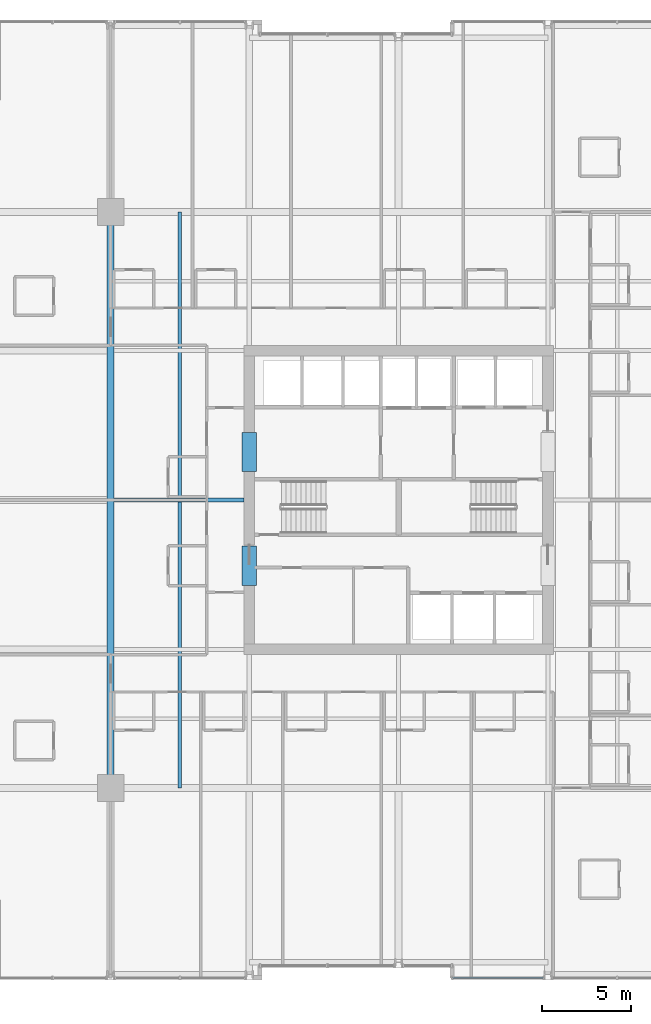
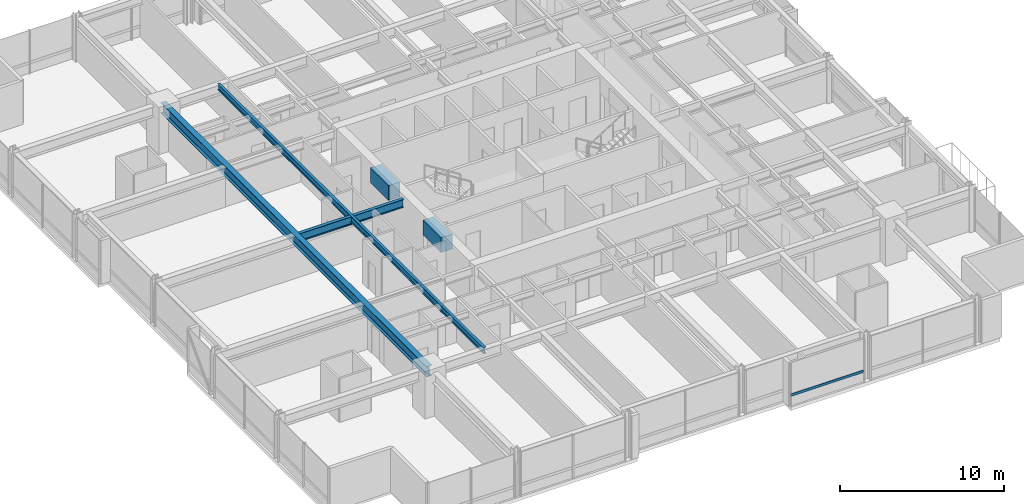
# One storey, part 10 of 35: 5 beams, 1 member, 1 element without a shape of its own.
"""IFC4 building model written with IfcOpenShell, lengths in metres."""

from ifc_helpers import new_model, si_unit, direction, frame, origin, origin_2d, place, context, subcontext, project, spatial, rectangle, hollow_rectangle, i_section, extrude, material, layer, layer_set, material_profile, profile_set, type_object, element, aggregate, save


model = new_model("IFC4")

# Units and contexts
model_context = context("Model", 3, precision=1e-05, world=origin(), true_north=direction((0.0, 1.0)))
body_context = subcontext(model_context, "Body", "Model", "MODEL_VIEW")
ifc_project = project(units=[si_unit("LENGTHUNIT", "METRE"), si_unit("AREAUNIT", "SQUARE_METRE"), si_unit("VOLUMEUNIT", "CUBIC_METRE"), si_unit("PLANEANGLEUNIT", "RADIAN"), si_unit("MASSUNIT", "GRAM", prefix="KILO")], contexts=[model_context])

# Site, building, storey
site_placement = place(None, origin())
site = spatial("IfcSite", under=ifc_project, at=site_placement, CompositionType="ELEMENT")
building_placement = place(site_placement, origin())
building = spatial("IfcBuilding", under=site, at=building_placement, Name="Drelvath Grand Hotel", CompositionType="ELEMENT")
storey_placement = place(building_placement, frame((0.0, 0.0, 98.800048828125)))
storey = spatial("IfcBuildingStorey", under=building, at=storey_placement, Name="L24", CompositionType="ELEMENT", Elevation=98.800048828125)

# Beams
ifc_material_1 = material(Name="Steel ASTM A992 Gr 50", Category="steel")
ifc_material_profile_1 = material_profile(ifc_material_1, i_section(OverallWidth=0.19140625, OverallDepth=0.4599609375, WebThickness=0.010009765625, FlangeThickness=0.01611328125, FilletRadius=0.01611328125, at=origin_2d()), Name="W18X55")
ifc_profile_set_1 = profile_set([ifc_material_profile_1], Name="Steel ASTM A992 Gr 50")
beam_type_1 = type_object("IfcBeamType", Name="Composite Floor Joist W18X55", PredefinedType="JOIST", material=ifc_profile_set_1)
beam_1_placement = place(storey_placement, frame((-12.300048828125, 10.800048828125, 3.010009765625), z_axis=(0.0, 1.0, 0.0), x_axis=(-1.0, 0.0, 0.0)))
element("IfcBeam", 1, at=beam_1_placement, inside=storey, type_object=beam_type_1, Name="L24 Wing Floor Joist J3", PredefinedType="JOIST", context=body_context, shape_type="SweptSolid", body=[
    extrude(i_section(OverallWidth=0.19140625, OverallDepth=0.4599609375, WebThickness=0.010009765625, FlangeThickness=0.01611328125, FilletRadius=0.01611328125, at=origin_2d()), origin(), (0.0, 0.0, 1.0), 32.39990234375),
])
ifc_material_2 = material(Name="Concrete f'c 70 MPa", Category="concrete")
ifc_material_profile_2 = material_profile(ifc_material_2, rectangle(XDim=0.800048828125, YDim=1.10009765625, at=origin_2d()), Name="CB800X1100")
ifc_profile_set_2 = profile_set([ifc_material_profile_2], Name="Concrete f'c 70 MPa")
beam_type_2 = type_object("IfcBeamType", Name="Core Coupling Lintel CB800X1100", PredefinedType="LINTEL", material=ifc_profile_set_2)
for number, where, z_axis, x_axis, name in (
    (2, (-8.39990234375, 22.199951171875, 2.68994140625), (0.0, 1.0, 0.0), (-1.0, 0.0, 0.0), "L24 Core Coupling Lintel WS"),
    (3, (-8.39990234375, 28.60009765625, 2.68994140625), (0.0, 1.0, 0.0), (-1.0, 0.0, 0.0), "L24 Core Coupling Lintel WN"),
):
    element("IfcBeam", number, at=place(storey_placement, frame(where, z_axis=z_axis, x_axis=x_axis)), inside=storey, type_object=beam_type_2, Name=name, PredefinedType="LINTEL", context=body_context, shape_type="SweptSolid", body=[
        extrude(rectangle(XDim=0.800048828125, YDim=1.10009765625, at=origin_2d()), origin(), (0.0, 0.0, 1.0), 2.199951171875),
    ])

# Curtain wall, member
ifc_material_3 = material(Name="Champagne Bronze Anodised Aluminium Frame", Category="aluminium")
ifc_layer = layer(ifc_material_3, 0.199951171875)
ifc_layer_set = layer_set([ifc_layer], Name="Champagne Bronze Anodised Aluminium Frame")
curtain_wall_type = type_object("IfcCurtainWallType", Name="Stick Curtain Wall CW-03 Champagne Bronze Mid-Rise", PredefinedType="NOTDEFINED", material=ifc_layer_set)
curtain_wall_placement = place(storey_placement, origin())
curtain_wall = element("IfcCurtainWall", 4, at=curtain_wall_placement, inside=storey, type_object=curtain_wall_type, Name="L24 CW-03 Curtain Wall CW03-L24-SE1", PredefinedType="NOTDEFINED")
ifc_material_profile_3 = material_profile(ifc_material_3, hollow_rectangle(XDim=0.074951171875, YDim=0.179931640625, WallThickness=0.0048828125, at=origin_2d()), Name="HSS180X75X5")
ifc_profile_set_3 = profile_set([ifc_material_profile_3], Name="Champagne Bronze Anodised Aluminium Frame")
member_type = type_object("IfcMemberType", Name="Curtain Wall Horizontal Transom CW-03 HSS180X75X5", PredefinedType="USERDEFINED", material=ifc_profile_set_3)
member_placement = place(storey_placement, frame((8.140380859375, 0.1201171875, 0.81005859375), z_axis=(-1.0, 0.0, 0.0), x_axis=(0.0, -1.0, 0.0)))
member = element("IfcMember", 5, at=member_placement, type_object=member_type, Name="CW03-L24-SE1 Sill Transom", ObjectType="TRANSOM", PredefinedType="USERDEFINED", context=body_context, shape_type="SweptSolid", body=[
    extrude(hollow_rectangle(XDim=0.074951171875, YDim=0.179931640625, WallThickness=0.0048828125, at=origin_2d()), origin(), (0.0, 0.0, 1.0), 5.100341796875),
])
aggregate(curtain_wall, [member])

# Beams
ifc_material_profile_4 = material_profile(ifc_material_1, i_section(OverallWidth=0.228271484375, OverallDepth=0.607666015625, WebThickness=0.01123046875, FlangeThickness=0.017333984375, FilletRadius=0.02001953125, at=origin_2d()), Name="W24X76")
ifc_profile_set_4 = profile_set([ifc_material_profile_4], Name="Steel ASTM A992 Gr 50")
beam_type_3 = type_object("IfcBeamType", Name="Primary Floor Girder W24X76", PredefinedType="BEAM", material=ifc_profile_set_4)
beam_2_placement = place(storey_placement, frame((-16.009765625, 27.0, 2.93603515625), z_axis=(1.0, 0.0, 0.0), x_axis=(0.0, 1.0, 0.0)))
element("IfcBeam", 6, at=beam_2_placement, inside=storey, type_object=beam_type_3, Name="L24 West Core Tie E", PredefinedType="BEAM", context=body_context, shape_type="SweptSolid", body=[
    extrude(i_section(OverallWidth=0.228271484375, OverallDepth=0.607666015625, WebThickness=0.01123046875, FlangeThickness=0.017333984375, FilletRadius=0.02001953125, at=origin_2d()), origin(), (0.0, 0.0, 1.0), 7.309814453125),
])
ifc_material_profile_5 = material_profile(ifc_material_1, i_section(OverallWidth=0.380615234375, OverallDepth=0.773193359375, WebThickness=0.0166015625, FlangeThickness=0.027099609375, FilletRadius=0.02490234375, at=origin_2d()), Name="W30X173")
ifc_profile_set_5 = profile_set([ifc_material_profile_5], Name="Steel ASTM A992 Gr 50")
beam_type_4 = type_object("IfcBeamType", Name="Primary Floor Girder W30X173", PredefinedType="BEAM", material=ifc_profile_set_5)
beam_3_placement = place(storey_placement, frame((-16.199951171875, 10.800048828125, 2.853271484375), z_axis=(0.0, 1.0, 0.0), x_axis=(-1.0, 0.0, 0.0)))
element("IfcBeam", 7, at=beam_3_placement, inside=storey, type_object=beam_type_4, Name="L24 Mega Ring Girder West", PredefinedType="BEAM", context=body_context, shape_type="SweptSolid", body=[
    extrude(i_section(OverallWidth=0.380615234375, OverallDepth=0.773193359375, WebThickness=0.0166015625, FlangeThickness=0.027099609375, FilletRadius=0.02490234375, at=origin_2d()), origin(), (0.0, 0.0, 1.0), 32.39990234375),
])

save(model, "model.ifc")
